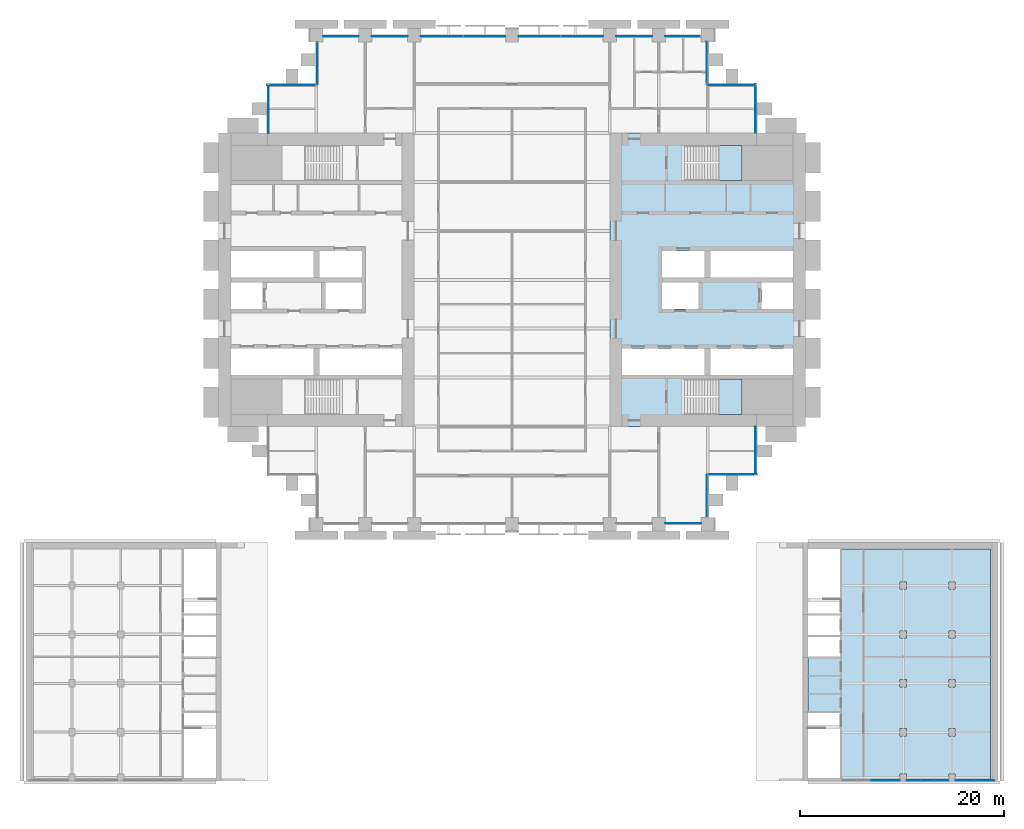
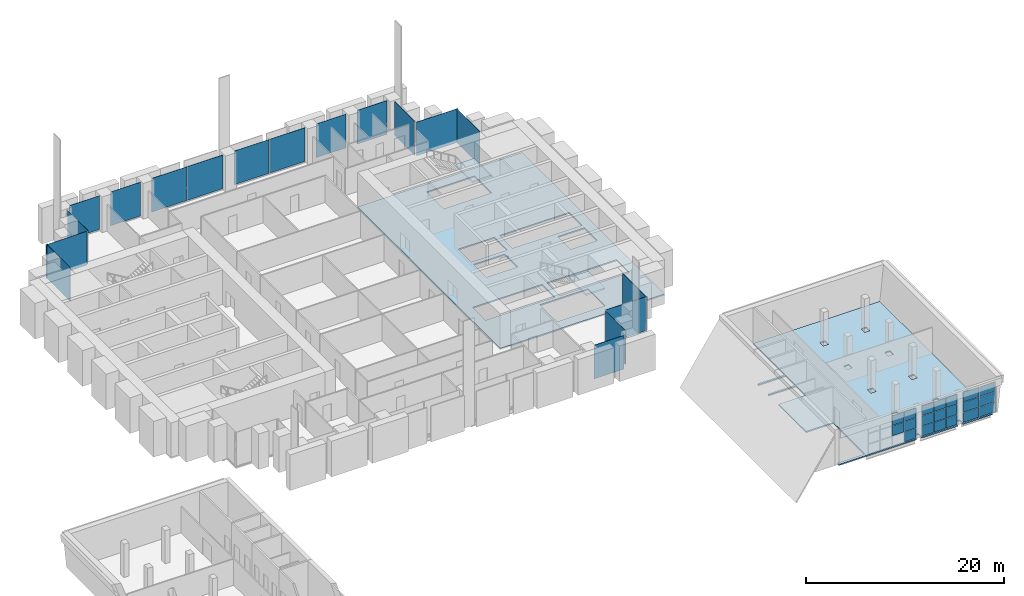
# One storey, part 15 of 22: 38 plates, 4 slabs, 16 elements without a shape of their own.
"""IFC4 building model written with IfcOpenShell, lengths in metres."""

from ifc_helpers import new_model, si_unit, direction, frame, origin, origin_2d, place, context, subcontext, project, spatial, polyline, rectangle, outline, extrude, material, layer, layer_set, type_object, element, aggregate, save


model = new_model("IFC4")

# Units and contexts
model_context = context("Model", 3, precision=1e-05, world=origin(), true_north=direction((0.0, 1.0)))
body_context = subcontext(model_context, "Body", "Model", "MODEL_VIEW")
ifc_project = project(units=[si_unit("LENGTHUNIT", "METRE"), si_unit("AREAUNIT", "SQUARE_METRE"), si_unit("VOLUMEUNIT", "CUBIC_METRE"), si_unit("PLANEANGLEUNIT", "RADIAN"), si_unit("MASSUNIT", "GRAM", prefix="KILO")], contexts=[model_context])

# Site, building, storey
site_placement = place(None, origin())
site = spatial("IfcSite", under=ifc_project, at=site_placement, CompositionType="ELEMENT")
building_placement = place(site_placement, origin())
building = spatial("IfcBuilding", under=site, at=building_placement, Name="Baori Bourse Tower", CompositionType="ELEMENT")
storey_placement = place(building_placement, frame((0.0, 0.0, 25.800048828125)))
storey = spatial("IfcBuildingStorey", under=building, at=storey_placement, Name="L04", CompositionType="ELEMENT", Elevation=25.800048828125)

# Curtain wall, plates
ifc_material_1 = material(Name="Pale anodised aluminium", Category="aluminium")
curtain_wall_type_1 = type_object("IfcCurtainWallType", Name="CW1 Curtain wall", PredefinedType="NOTDEFINED", material=ifc_material_1)
curtain_wall_1_placement = place(storey_placement, origin())
curtain_wall_1 = element("IfcCurtainWall", 1, at=curtain_wall_1_placement, inside=storey, type_object=curtain_wall_type_1, Name="Curtain wall CW1 L04 4", PredefinedType="NOTDEFINED")
ifc_material_2 = material(Name="Clear glass", Category="glass")
ifc_layer_1 = layer(ifc_material_2, 0.033935546875)
ifc_layer_set_1 = layer_set([ifc_layer_1], Name="CW1 Curtain wall panel")
plate_type_1 = type_object("IfcPlateType", Name="CW1 Curtain wall panel", PredefinedType="CURTAIN_PANEL", material=ifc_layer_set_1)
plate_1_placement = place(storey_placement, frame((45.570068359375, 47.89990234375, 0.080078125), z_axis=(0.0, 0.0, 1.0), x_axis=(-1.0, 0.0, 0.0)))
plate_1 = element("IfcPlate", 2, at=plate_1_placement, type_object=plate_type_1, Name="Curtain wall CW1 panel", PredefinedType="CURTAIN_PANEL", context=body_context, shape_type="SweptSolid", body=[
    extrude(rectangle(XDim=3.43994140625, YDim=0.033935546875, at=origin_2d()), origin(), (0.0, 0.0, 1.0), 4.159912109375),
])
plate_2_placement = place(storey_placement, frame((40.800048828125, 47.89990234375, 0.080078125), z_axis=(0.0, 0.0, 1.0), x_axis=(-1.0, 0.0, 0.0)))
plate_2 = element("IfcPlate", 3, at=plate_2_placement, type_object=plate_type_1, Name="Curtain wall CW1 panel", PredefinedType="CURTAIN_PANEL", context=body_context, shape_type="SweptSolid", body=[
    extrude(rectangle(XDim=3.5, YDim=0.033935546875, at=origin_2d()), origin(), (0.0, 0.0, 1.0), 4.159912109375),
])
plate_3_placement = place(storey_placement, frame((35.68994140625, 47.89990234375, 0.080078125), z_axis=(0.0, 0.0, 1.0), x_axis=(-1.0, 0.0, 0.0)))
plate_3 = element("IfcPlate", 4, at=plate_3_placement, type_object=plate_type_1, Name="Curtain wall CW1 panel", PredefinedType="CURTAIN_PANEL", context=body_context, shape_type="SweptSolid", body=[
    extrude(rectangle(XDim=4.1201171875, YDim=0.033935546875, at=origin_2d()), origin(), (0.0, 0.0, 1.0), 4.159912109375),
])
plate_4_placement = place(storey_placement, frame((31.510009765625, 47.89990234375, 0.080078125), z_axis=(0.0, 0.0, 1.0), x_axis=(-1.0, 0.0, 0.0)))
plate_4 = element("IfcPlate", 5, at=plate_4_placement, type_object=plate_type_1, Name="Curtain wall CW1 panel", PredefinedType="CURTAIN_PANEL", context=body_context, shape_type="SweptSolid", body=[
    extrude(rectangle(XDim=4.1201171875, YDim=0.033935546875, at=origin_2d()), origin(), (0.0, 0.0, 1.0), 4.159912109375),
])
plate_5_placement = place(storey_placement, frame((26.090087890625, 47.89990234375, 0.080078125), z_axis=(0.0, 0.0, 1.0), x_axis=(-1.0, 0.0, 0.0)))
plate_5 = element("IfcPlate", 6, at=plate_5_placement, type_object=plate_type_1, Name="Curtain wall CW1 panel", PredefinedType="CURTAIN_PANEL", context=body_context, shape_type="SweptSolid", body=[
    extrude(rectangle(XDim=4.1201171875, YDim=0.033935546875, at=origin_2d()), origin(), (0.0, 0.0, 1.0), 4.159912109375),
])
plate_6_placement = place(storey_placement, frame((21.909912109375, 47.89990234375, 0.080078125), z_axis=(0.0, 0.0, 1.0), x_axis=(-1.0, 0.0, 0.0)))
plate_6 = element("IfcPlate", 7, at=plate_6_placement, type_object=plate_type_1, Name="Curtain wall CW1 panel", PredefinedType="CURTAIN_PANEL", context=body_context, shape_type="SweptSolid", body=[
    extrude(rectangle(XDim=4.1201171875, YDim=0.033935546875, at=origin_2d()), origin(), (0.0, 0.0, 1.0), 4.159912109375),
])
plate_7_placement = place(storey_placement, frame((16.800048828125, 47.89990234375, 0.080078125), z_axis=(0.0, 0.0, 1.0), x_axis=(-1.0, 0.0, 0.0)))
plate_7 = element("IfcPlate", 8, at=plate_7_placement, type_object=plate_type_1, Name="Curtain wall CW1 panel", PredefinedType="CURTAIN_PANEL", context=body_context, shape_type="SweptSolid", body=[
    extrude(rectangle(XDim=3.5, YDim=0.033935546875, at=origin_2d()), origin(), (0.0, 0.0, 1.0), 4.159912109375),
])
plate_8_placement = place(storey_placement, frame((12.0, 47.89990234375, 0.080078125), z_axis=(0.0, 0.0, 1.0), x_axis=(-1.0, 0.0, 0.0)))
plate_8 = element("IfcPlate", 9, at=plate_8_placement, type_object=plate_type_1, Name="Curtain wall CW1 panel", PredefinedType="CURTAIN_PANEL", context=body_context, shape_type="SweptSolid", body=[
    extrude(rectangle(XDim=3.5, YDim=0.033935546875, at=origin_2d()), origin(), (0.0, 0.0, 1.0), 4.159912109375),
])
aggregate(curtain_wall_1, [plate_1, plate_2, plate_3, plate_4, plate_5, plate_6, plate_7, plate_8])

# Curtain wall, plate
curtain_wall_2_placement = place(storey_placement, origin())
curtain_wall_2 = element("IfcCurtainWall", 10, at=curtain_wall_2_placement, inside=storey, type_object=curtain_wall_type_1, Name="Curtain wall CW1 L04 11", PredefinedType="NOTDEFINED")
plate_9_placement = place(storey_placement, frame((45.60009765625, 0.10009765625, 0.080078125), z_axis=(0.0, 0.0, 1.0), x_axis=(1.0, 0.0, 0.0)))
plate_9 = element("IfcPlate", 11, at=plate_9_placement, type_object=plate_type_1, Name="Curtain wall CW1 panel", PredefinedType="CURTAIN_PANEL", context=body_context, shape_type="SweptSolid", body=[
    extrude(rectangle(XDim=3.5, YDim=0.033935546875, at=origin_2d()), origin(), (0.0, 0.0, 1.0), 4.159912109375),
])
aggregate(curtain_wall_2, [plate_9])

ifc_material_3 = material(Name="Pale anodised aluminium", Category="aluminium")
curtain_wall_type_2 = type_object("IfcCurtainWallType", Name="CW2 Curtain wall", PredefinedType="NOTDEFINED", material=ifc_material_3)
curtain_wall_3_placement = place(storey_placement, origin())
curtain_wall_3 = element("IfcCurtainWall", 12, at=curtain_wall_3_placement, inside=storey, type_object=curtain_wall_type_2, Name="Curtain wall CW2 L04 1", PredefinedType="NOTDEFINED")
ifc_material_4 = material(Name="Clear glass", Category="glass")
ifc_layer_2 = layer(ifc_material_4, 0.030029296875)
ifc_layer_set_2 = layer_set([ifc_layer_2], Name="CW2 Curtain wall panel")
plate_type_2 = type_object("IfcPlateType", Name="CW2 Curtain wall panel", PredefinedType="CURTAIN_PANEL", material=ifc_layer_set_2)
plate_10_placement = place(storey_placement, frame((52.7099609375, 40.827392578125, 0.070068359375), z_axis=(0.0, 0.0, 1.0), x_axis=(0.0, 1.0, 0.0)))
plate_10 = element("IfcPlate", 13, at=plate_10_placement, type_object=plate_type_2, Name="Curtain wall CW2 panel", PredefinedType="CURTAIN_PANEL", context=body_context, shape_type="SweptSolid", body=[
    extrude(rectangle(XDim=4.7451171875, YDim=0.030029296875, at=origin_2d()), origin(), (0.0, 0.0, 1.0), 4.169921875),
])
aggregate(curtain_wall_3, [plate_10])

curtain_wall_4_placement = place(storey_placement, origin())
curtain_wall_4 = element("IfcCurtainWall", 14, at=curtain_wall_4_placement, inside=storey, type_object=curtain_wall_type_2, Name="Curtain wall CW2 L04 2", PredefinedType="NOTDEFINED")
plate_11_placement = place(storey_placement, frame((50.37255859375, 43.110107421875, 0.070068359375), z_axis=(0.0, 0.0, 1.0), x_axis=(-1.0, 0.0, 0.0)))
plate_11 = element("IfcPlate", 15, at=plate_11_placement, type_object=plate_type_2, Name="Curtain wall CW2 panel", PredefinedType="CURTAIN_PANEL", context=body_context, shape_type="SweptSolid", body=[
    extrude(rectangle(XDim=4.7451171875, YDim=0.030029296875, at=origin_2d()), origin(), (0.0, 0.0, 1.0), 4.169921875),
])
aggregate(curtain_wall_4, [plate_11])

curtain_wall_5_placement = place(storey_placement, origin())
curtain_wall_5 = element("IfcCurtainWall", 16, at=curtain_wall_5_placement, inside=storey, type_object=curtain_wall_type_2, Name="Curtain wall CW2 L04 3", PredefinedType="NOTDEFINED")
plate_12_placement = place(storey_placement, frame((47.909912109375, 45.302490234375, 0.070068359375), z_axis=(0.0, 0.0, 1.0), x_axis=(0.0, 1.0, 0.0)))
plate_12 = element("IfcPlate", 17, at=plate_12_placement, type_object=plate_type_2, Name="Curtain wall CW2 panel", PredefinedType="CURTAIN_PANEL", context=body_context, shape_type="SweptSolid", body=[
    extrude(rectangle(XDim=4.094970703125, YDim=0.030029296875, at=origin_2d()), origin(), (0.0, 0.0, 1.0), 4.169921875),
])
aggregate(curtain_wall_5, [plate_12])

curtain_wall_6_placement = place(storey_placement, origin())
curtain_wall_6 = element("IfcCurtainWall", 18, at=curtain_wall_6_placement, inside=storey, type_object=curtain_wall_type_2, Name="Curtain wall CW2 L04 5", PredefinedType="NOTDEFINED")
plate_13_placement = place(storey_placement, frame((9.68994140625, 45.24755859375, 0.070068359375), z_axis=(0.0, 0.0, 1.0), x_axis=(0.0, -1.0, 0.0)))
plate_13 = element("IfcPlate", 19, at=plate_13_placement, type_object=plate_type_2, Name="Curtain wall CW2 panel", PredefinedType="CURTAIN_PANEL", context=body_context, shape_type="SweptSolid", body=[
    extrude(rectangle(XDim=4.094970703125, YDim=0.030029296875, at=origin_2d()), origin(), (0.0, 0.0, 1.0), 4.169921875),
])
aggregate(curtain_wall_6, [plate_13])

curtain_wall_7_placement = place(storey_placement, origin())
curtain_wall_7 = element("IfcCurtainWall", 20, at=curtain_wall_7_placement, inside=storey, type_object=curtain_wall_type_2, Name="Curtain wall CW2 L04 6", PredefinedType="NOTDEFINED")
plate_14_placement = place(storey_placement, frame((7.172607421875, 43.110107421875, 0.070068359375), z_axis=(0.0, 0.0, 1.0), x_axis=(-1.0, 0.0, 0.0)))
plate_14 = element("IfcPlate", 21, at=plate_14_placement, type_object=plate_type_2, Name="Curtain wall CW2 panel", PredefinedType="CURTAIN_PANEL", context=body_context, shape_type="SweptSolid", body=[
    extrude(rectangle(XDim=4.7451171875, YDim=0.030029296875, at=origin_2d()), origin(), (0.0, 0.0, 1.0), 4.169921875),
])
aggregate(curtain_wall_7, [plate_14])

curtain_wall_8_placement = place(storey_placement, origin())
curtain_wall_8 = element("IfcCurtainWall", 22, at=curtain_wall_8_placement, inside=storey, type_object=curtain_wall_type_2, Name="Curtain wall CW2 L04 7", PredefinedType="NOTDEFINED")
plate_15_placement = place(storey_placement, frame((4.889892578125, 40.7724609375, 0.070068359375), z_axis=(0.0, 0.0, 1.0), x_axis=(0.0, -1.0, 0.0)))
plate_15 = element("IfcPlate", 23, at=plate_15_placement, type_object=plate_type_2, Name="Curtain wall CW2 panel", PredefinedType="CURTAIN_PANEL", context=body_context, shape_type="SweptSolid", body=[
    extrude(rectangle(XDim=4.7451171875, YDim=0.030029296875, at=origin_2d()), origin(), (0.0, 0.0, 1.0), 4.169921875),
])
aggregate(curtain_wall_8, [plate_15])

curtain_wall_9_placement = place(storey_placement, origin())
curtain_wall_9 = element("IfcCurtainWall", 24, at=curtain_wall_9_placement, inside=storey, type_object=curtain_wall_type_2, Name="Curtain wall CW2 L04 12", PredefinedType="NOTDEFINED")
plate_16_placement = place(storey_placement, frame((47.909912109375, 2.75244140625, 0.070068359375), z_axis=(0.0, 0.0, 1.0), x_axis=(0.0, 1.0, 0.0)))
plate_16 = element("IfcPlate", 25, at=plate_16_placement, type_object=plate_type_2, Name="Curtain wall CW2 panel", PredefinedType="CURTAIN_PANEL", context=body_context, shape_type="SweptSolid", body=[
    extrude(rectangle(XDim=4.094970703125, YDim=0.030029296875, at=origin_2d()), origin(), (0.0, 0.0, 1.0), 4.169921875),
])
aggregate(curtain_wall_9, [plate_16])

curtain_wall_10_placement = place(storey_placement, origin())
curtain_wall_10 = element("IfcCurtainWall", 26, at=curtain_wall_10_placement, inside=storey, type_object=curtain_wall_type_2, Name="Curtain wall CW2 L04 13", PredefinedType="NOTDEFINED")
plate_17_placement = place(storey_placement, frame((50.427490234375, 4.889892578125, 0.070068359375), z_axis=(0.0, 0.0, 1.0), x_axis=(1.0, 0.0, 0.0)))
plate_17 = element("IfcPlate", 27, at=plate_17_placement, type_object=plate_type_2, Name="Curtain wall CW2 panel", PredefinedType="CURTAIN_PANEL", context=body_context, shape_type="SweptSolid", body=[
    extrude(rectangle(XDim=4.7451171875, YDim=0.030029296875, at=origin_2d()), origin(), (0.0, 0.0, 1.0), 4.169921875),
])
aggregate(curtain_wall_10, [plate_17])

curtain_wall_11_placement = place(storey_placement, origin())
curtain_wall_11 = element("IfcCurtainWall", 28, at=curtain_wall_11_placement, inside=storey, type_object=curtain_wall_type_2, Name="Curtain wall CW2 L04 14", PredefinedType="NOTDEFINED")
plate_18_placement = place(storey_placement, frame((52.7099609375, 7.2275390625, 0.070068359375), z_axis=(0.0, 0.0, 1.0), x_axis=(0.0, 1.0, 0.0)))
plate_18 = element("IfcPlate", 29, at=plate_18_placement, type_object=plate_type_2, Name="Curtain wall CW2 panel", PredefinedType="CURTAIN_PANEL", context=body_context, shape_type="SweptSolid", body=[
    extrude(rectangle(XDim=4.7451171875, YDim=0.030029296875, at=origin_2d()), origin(), (0.0, 0.0, 1.0), 4.169921875),
])
aggregate(curtain_wall_11, [plate_18])

# Slab
ifc_material_5 = material(Name="Concrete f'c 50 MPa", Category="concrete")
ifc_layer_3 = layer(ifc_material_5, 0.159912109375)
ifc_layer_set_3 = layer_set([ifc_layer_3], Name="Core slab 160")
slab_type_1 = type_object("IfcSlabType", Name="Core slab 160", PredefinedType="FLOOR", material=ifc_layer_set_3)
slab_1_placement = place(storey_placement, frame((0.0, 0.0, -0.16015625)))
element("IfcSlab", 30, at=slab_1_placement, inside=storey, type_object=slab_type_1, Name="Core floor slab E01", PredefinedType="FLOOR", context=body_context, shape_type="SweptSolid", body=[
    extrude(outline(polyline([(38.39990234375, 9.60009765625), (57.60009765625, 9.60009765625), (57.60009765625, 38.39990234375), (38.39990234375, 38.39990234375), (38.39990234375, 9.60009765625)]), holes=[polyline([(48.300048828125, 14.64990234375), (48.300048828125, 17.25), (56.39990234375, 17.25), (56.39990234375, 14.64990234375), (48.300048828125, 14.64990234375)]), polyline([(56.39990234375, 21.14990234375), (53.300048828125, 21.14990234375), (53.300048828125, 23.75), (56.39990234375, 23.75), (56.39990234375, 21.14990234375)]), polyline([(56.39990234375, 26.85009765625), (56.39990234375, 24.25), (48.300048828125, 24.25), (48.300048828125, 26.85009765625), (56.39990234375, 26.85009765625)]), polyline([(45.750732421875, 14.25), (51.35009765625, 14.25), (51.35009765625, 10.800048828125), (45.750732421875, 10.800048828125), (45.750732421875, 14.25)]), polyline([(51.35009765625, 37.199951171875), (51.35009765625, 33.75), (45.750732421875, 33.75), (45.750732421875, 37.199951171875), (51.35009765625, 37.199951171875)]), polyline([(39.60009765625, 17.25), (47.699951171875, 17.25), (47.699951171875, 14.64990234375), (39.60009765625, 14.64990234375), (39.60009765625, 17.25)]), polyline([(43.5, 24.25), (43.5, 26.85009765625), (47.699951171875, 26.85009765625), (47.699951171875, 24.25), (43.5, 24.25)]), polyline([(43.5, 23.75), (47.10009765625, 23.75), (47.10009765625, 21.14990234375), (43.5, 21.14990234375), (43.5, 23.75)])]), origin(), (0.0, 0.0, 1.0), 0.16015625),
])

# Stair, slab
ifc_material_6 = material(Name="Concrete f'c 50 MPa", Category="concrete")
stair_type = type_object("IfcStairType", Name="Core stair", PredefinedType="HALF_TURN_STAIR", material=ifc_material_6)
stair_1_placement = place(storey_placement, origin())
stair_1 = element("IfcStair", 31, at=stair_1_placement, inside=storey, type_object=stair_type, Name="L04 Stair EA", PredefinedType="HALF_TURN_STAIR")
ifc_material_7 = material(Name="Concrete f'c 50 MPa", Category="concrete")
slab_type_2 = type_object("IfcSlabType", Name="Core stair landing", PredefinedType="LANDING", material=ifc_material_7)
slab_2_placement = place(storey_placement, frame((0.0, 0.0, 2.0)))
slab_2 = element("IfcSlab", 32, at=slab_2_placement, type_object=slab_type_2, Name="ST3 landing 1", PredefinedType="LANDING", context=body_context, shape_type="SweptSolid", body=[
    extrude(outline(polyline([(49.110107421875, 10.800048828125), (51.35009765625, 10.800048828125), (51.35009765625, 14.25), (49.110107421875, 14.25), (49.110107421875, 10.800048828125)])), origin(), (0.0, 0.0, 1.0), 0.199951171875),
])
aggregate(stair_1, [slab_2])

stair_2_placement = place(storey_placement, origin())
stair_2 = element("IfcStair", 33, at=stair_2_placement, inside=storey, type_object=stair_type, Name="L04 Stair EB", PredefinedType="HALF_TURN_STAIR")
slab_3_placement = place(storey_placement, frame((0.0, 0.0, 2.0)))
slab_3 = element("IfcSlab", 34, at=slab_3_placement, type_object=slab_type_2, Name="ST4 landing 1", PredefinedType="LANDING", context=body_context, shape_type="SweptSolid", body=[
    extrude(outline(polyline([(49.110107421875, 33.75), (51.35009765625, 33.75), (51.35009765625, 37.199951171875), (49.110107421875, 37.199951171875), (49.110107421875, 33.75)])), origin(), (0.0, 0.0, 1.0), 0.199951171875),
])
aggregate(stair_2, [slab_3])

# Slab
ifc_material_8 = material(Name="Concrete f'c 40 MPa", Category="concrete")
ifc_layer_4 = layer(ifc_material_8, 0.159912109375)
ifc_layer_set_4 = layer_set([ifc_layer_4], Name="Wing floor slab 160")
slab_type_3 = type_object("IfcSlabType", Name="Wing floor slab 160", PredefinedType="FLOOR", material=ifc_layer_set_4)
slab_4_placement = place(storey_placement, frame((0.0, 0.0, -0.16015625)))
element("IfcSlab", 35, at=slab_4_placement, inside=storey, type_object=slab_type_3, Name="wing/L04/Efloor/001", PredefinedType="FLOOR", context=body_context, shape_type="SweptSolid", body=[
    extrude(outline(polyline([(61.0, -10.860107421875), (57.85009765625, -10.860107421875), (57.85009765625, -11.06005859375), (61.0, -11.06005859375), (61.0, -12.9599609375), (57.85009765625, -12.9599609375), (57.85009765625, -18.5400390625), (61.0, -18.5400390625), (61.0, -24.89990234375), (57.85009765625, -24.89990234375), (57.85009765625, -25.199951171875), (66.89990234375, -25.199951171875), (66.89990234375, -24.5), (67.5, -24.5), (67.5, -25.199951171875), (71.699951171875, -25.199951171875), (71.699951171875, -24.5), (72.300048828125, -24.5), (72.300048828125, -25.199951171875), (75.758056640625, -25.199951171875), (75.758056640625, -2.39990234375), (61.0, -2.39990234375), (61.0, -8.760009765625), (57.85009765625, -8.760009765625), (57.85009765625, -8.9599609375), (61.0, -8.9599609375), (61.0, -10.860107421875)]), holes=[polyline([(71.699951171875, -20.050048828125), (71.699951171875, -20.75), (72.300048828125, -20.75), (72.300048828125, -20.050048828125), (71.699951171875, -20.050048828125)]), polyline([(71.699951171875, -15.949951171875), (72.300048828125, -15.949951171875), (72.300048828125, -15.25), (71.699951171875, -15.25), (71.699951171875, -15.949951171875)]), polyline([(72.300048828125, -11.14990234375), (72.300048828125, -10.449951171875), (71.699951171875, -10.449951171875), (71.699951171875, -11.14990234375), (72.300048828125, -11.14990234375)]), polyline([(72.300048828125, -5.64990234375), (71.699951171875, -5.64990234375), (71.699951171875, -6.35009765625), (72.300048828125, -6.35009765625), (72.300048828125, -5.64990234375)]), polyline([(66.89990234375, -20.75), (67.5, -20.75), (67.5, -20.050048828125), (66.89990234375, -20.050048828125), (66.89990234375, -20.75)]), polyline([(67.5, -15.949951171875), (67.5, -15.25), (66.89990234375, -15.25), (66.89990234375, -15.949951171875), (67.5, -15.949951171875)]), polyline([(67.5, -10.449951171875), (66.89990234375, -10.449951171875), (66.89990234375, -11.14990234375), (67.5, -11.14990234375), (67.5, -10.449951171875)]), polyline([(66.89990234375, -5.64990234375), (66.89990234375, -6.35009765625), (67.5, -6.35009765625), (67.5, -5.64990234375), (66.89990234375, -5.64990234375)])]), origin(), (0.0, 0.0, 1.0), 0.16015625),
])

# Curtain wall, plates
ifc_material_9 = material(Name="Pale anodised aluminium", Category="aluminium")
ifc_layer_5 = layer(ifc_material_9, 0.10009765625)
ifc_layer_set_5 = layer_set([ifc_layer_5], Name="Wing curtain wall")
curtain_wall_type_3 = type_object("IfcCurtainWallType", Name="Wing curtain wall", PredefinedType="NOTDEFINED", material=ifc_layer_set_5)
curtain_wall_12_placement = place(storey_placement, origin())
curtain_wall_12 = element("IfcCurtainWall", 36, at=curtain_wall_12_placement, inside=storey, type_object=curtain_wall_type_3, Name="wing/L04/Ecw/001", PredefinedType="NOTDEFINED")
ifc_material_10 = material(Name="Clear glass", Category="glass")
ifc_layer_6 = layer(ifc_material_10, 0.028076171875)
ifc_layer_set_6 = layer_set([ifc_layer_6], Name="Wing glass panel 28")
plate_type_3 = type_object("IfcPlateType", Name="Wing glass panel 28", PredefinedType="CURTAIN_PANEL", material=ifc_layer_set_6)
plate_19_placement = place(storey_placement, frame((73.2822265625, -25.14990234375, 0.06005859375), z_axis=(0.0, 0.0, 1.0), x_axis=(1.0, 0.0, 0.0)))
plate_19 = element("IfcPlate", 37, at=plate_19_placement, type_object=plate_type_3, Name="X12 panel 1.1", PredefinedType="CURTAIN_PANEL", context=body_context, shape_type="SweptSolid", body=[
    extrude(rectangle(XDim=1.84423828125, YDim=0.028076171875, at=origin_2d()), origin(), (0.0, 0.0, 1.0), 1.193359375),
])
plate_20_placement = place(storey_placement, frame((73.2822265625, -25.14990234375, 1.3134765625), z_axis=(0.0, 0.0, 1.0), x_axis=(1.0, 0.0, 0.0)))
plate_20 = element("IfcPlate", 38, at=plate_20_placement, type_object=plate_type_3, Name="X12 panel 1.2", PredefinedType="CURTAIN_PANEL", context=body_context, shape_type="SweptSolid", body=[
    extrude(rectangle(XDim=1.84423828125, YDim=0.028076171875, at=origin_2d()), origin(), (0.0, 0.0, 1.0), 1.223388671875),
])
plate_21_placement = place(storey_placement, frame((73.2822265625, -25.14990234375, 2.5966796875), z_axis=(0.0, 0.0, 1.0), x_axis=(1.0, 0.0, 0.0)))
plate_21 = element("IfcPlate", 39, at=plate_21_placement, type_object=plate_type_3, Name="X12 panel 1.3", PredefinedType="CURTAIN_PANEL", context=body_context, shape_type="SweptSolid", body=[
    extrude(rectangle(XDim=1.84423828125, YDim=0.028076171875, at=origin_2d()), origin(), (0.0, 0.0, 1.0), 1.193359375),
])
plate_22_placement = place(storey_placement, frame((75.186279296875, -25.14990234375, 0.06005859375), z_axis=(0.0, 0.0, 1.0), x_axis=(1.0, 0.0, 0.0)))
plate_22 = element("IfcPlate", 40, at=plate_22_placement, type_object=plate_type_3, Name="X12 panel 2.1", PredefinedType="CURTAIN_PANEL", context=body_context, shape_type="SweptSolid", body=[
    extrude(rectangle(XDim=1.84423828125, YDim=0.028076171875, at=origin_2d()), origin(), (0.0, 0.0, 1.0), 1.193359375),
])
plate_23_placement = place(storey_placement, frame((75.186279296875, -25.14990234375, 1.3134765625), z_axis=(0.0, 0.0, 1.0), x_axis=(1.0, 0.0, 0.0)))
plate_23 = element("IfcPlate", 41, at=plate_23_placement, type_object=plate_type_3, Name="X12 panel 2.2", PredefinedType="CURTAIN_PANEL", context=body_context, shape_type="SweptSolid", body=[
    extrude(rectangle(XDim=1.84423828125, YDim=0.028076171875, at=origin_2d()), origin(), (0.0, 0.0, 1.0), 1.223388671875),
])
plate_24_placement = place(storey_placement, frame((75.186279296875, -25.14990234375, 2.5966796875), z_axis=(0.0, 0.0, 1.0), x_axis=(1.0, 0.0, 0.0)))
plate_24 = element("IfcPlate", 42, at=plate_24_placement, type_object=plate_type_3, Name="X12 panel 2.3", PredefinedType="CURTAIN_PANEL", context=body_context, shape_type="SweptSolid", body=[
    extrude(rectangle(XDim=1.84423828125, YDim=0.028076171875, at=origin_2d()), origin(), (0.0, 0.0, 1.0), 1.193359375),
])
aggregate(curtain_wall_12, [plate_19, plate_20, plate_21, plate_22, plate_23, plate_24])

curtain_wall_13_placement = place(storey_placement, origin())
curtain_wall_13 = element("IfcCurtainWall", 43, at=curtain_wall_13_placement, inside=storey, type_object=curtain_wall_type_3, Name="wing/L04/Ecw/002", PredefinedType="NOTDEFINED")
plate_25_placement = place(storey_placement, frame((68.215087890625, -25.14990234375, 0.06005859375), z_axis=(0.0, 0.0, 1.0), x_axis=(1.0, 0.0, 0.0)))
plate_25 = element("IfcPlate", 44, at=plate_25_placement, type_object=plate_type_3, Name="X12 panel 1.1", PredefinedType="CURTAIN_PANEL", context=body_context, shape_type="SweptSolid", body=[
    extrude(rectangle(XDim=1.31005859375, YDim=0.028076171875, at=origin_2d()), origin(), (0.0, 0.0, 1.0), 1.193359375),
])
plate_26_placement = place(storey_placement, frame((68.215087890625, -25.14990234375, 1.3134765625), z_axis=(0.0, 0.0, 1.0), x_axis=(1.0, 0.0, 0.0)))
plate_26 = element("IfcPlate", 45, at=plate_26_placement, type_object=plate_type_3, Name="X12 panel 1.2", PredefinedType="CURTAIN_PANEL", context=body_context, shape_type="SweptSolid", body=[
    extrude(rectangle(XDim=1.31005859375, YDim=0.028076171875, at=origin_2d()), origin(), (0.0, 0.0, 1.0), 1.223388671875),
])
plate_27_placement = place(storey_placement, frame((68.215087890625, -25.14990234375, 2.5966796875), z_axis=(0.0, 0.0, 1.0), x_axis=(1.0, 0.0, 0.0)))
plate_27 = element("IfcPlate", 46, at=plate_27_placement, type_object=plate_type_3, Name="X12 panel 1.3", PredefinedType="CURTAIN_PANEL", context=body_context, shape_type="SweptSolid", body=[
    extrude(rectangle(XDim=1.31005859375, YDim=0.028076171875, at=origin_2d()), origin(), (0.0, 0.0, 1.0), 1.193359375),
])
plate_28_placement = place(storey_placement, frame((69.60009765625, -25.14990234375, 0.06005859375), z_axis=(0.0, 0.0, 1.0), x_axis=(1.0, 0.0, 0.0)))
plate_28 = element("IfcPlate", 47, at=plate_28_placement, type_object=plate_type_3, Name="X12 panel 2.1", PredefinedType="CURTAIN_PANEL", context=body_context, shape_type="SweptSolid", body=[
    extrude(rectangle(XDim=1.340087890625, YDim=0.028076171875, at=origin_2d()), origin(), (0.0, 0.0, 1.0), 1.193359375),
])
plate_29_placement = place(storey_placement, frame((69.60009765625, -25.14990234375, 1.3134765625), z_axis=(0.0, 0.0, 1.0), x_axis=(1.0, 0.0, 0.0)))
plate_29 = element("IfcPlate", 48, at=plate_29_placement, type_object=plate_type_3, Name="X12 panel 2.2", PredefinedType="CURTAIN_PANEL", context=body_context, shape_type="SweptSolid", body=[
    extrude(rectangle(XDim=1.340087890625, YDim=0.028076171875, at=origin_2d()), origin(), (0.0, 0.0, 1.0), 1.223388671875),
])
plate_30_placement = place(storey_placement, frame((69.60009765625, -25.14990234375, 2.5966796875), z_axis=(0.0, 0.0, 1.0), x_axis=(1.0, 0.0, 0.0)))
plate_30 = element("IfcPlate", 49, at=plate_30_placement, type_object=plate_type_3, Name="X12 panel 2.3", PredefinedType="CURTAIN_PANEL", context=body_context, shape_type="SweptSolid", body=[
    extrude(rectangle(XDim=1.340087890625, YDim=0.028076171875, at=origin_2d()), origin(), (0.0, 0.0, 1.0), 1.193359375),
])
plate_31_placement = place(storey_placement, frame((70.985107421875, -25.14990234375, 0.06005859375), z_axis=(0.0, 0.0, 1.0), x_axis=(1.0, 0.0, 0.0)))
plate_31 = element("IfcPlate", 50, at=plate_31_placement, type_object=plate_type_3, Name="X12 panel 3.1", PredefinedType="CURTAIN_PANEL", context=body_context, shape_type="SweptSolid", body=[
    extrude(rectangle(XDim=1.31005859375, YDim=0.028076171875, at=origin_2d()), origin(), (0.0, 0.0, 1.0), 1.193359375),
])
plate_32_placement = place(storey_placement, frame((70.985107421875, -25.14990234375, 1.3134765625), z_axis=(0.0, 0.0, 1.0), x_axis=(1.0, 0.0, 0.0)))
plate_32 = element("IfcPlate", 51, at=plate_32_placement, type_object=plate_type_3, Name="X12 panel 3.2", PredefinedType="CURTAIN_PANEL", context=body_context, shape_type="SweptSolid", body=[
    extrude(rectangle(XDim=1.31005859375, YDim=0.028076171875, at=origin_2d()), origin(), (0.0, 0.0, 1.0), 1.223388671875),
])
plate_33_placement = place(storey_placement, frame((70.985107421875, -25.14990234375, 2.5966796875), z_axis=(0.0, 0.0, 1.0), x_axis=(1.0, 0.0, 0.0)))
plate_33 = element("IfcPlate", 52, at=plate_33_placement, type_object=plate_type_3, Name="X12 panel 3.3", PredefinedType="CURTAIN_PANEL", context=body_context, shape_type="SweptSolid", body=[
    extrude(rectangle(XDim=1.31005859375, YDim=0.028076171875, at=origin_2d()), origin(), (0.0, 0.0, 1.0), 1.193359375),
])
aggregate(curtain_wall_13, [plate_25, plate_26, plate_27, plate_28, plate_29, plate_30, plate_31, plate_32, plate_33])

curtain_wall_14_placement = place(storey_placement, origin())
curtain_wall_14 = element("IfcCurtainWall", 53, at=curtain_wall_14_placement, inside=storey, type_object=curtain_wall_type_3, Name="wing/L04/Ecw/003", PredefinedType="NOTDEFINED")
plate_34_placement = place(storey_placement, frame((64.762451171875, -25.14990234375, 1.3134765625), z_axis=(0.0, 0.0, 1.0), x_axis=(1.0, 0.0, 0.0)))
plate_34 = element("IfcPlate", 54, at=plate_34_placement, type_object=plate_type_3, Name="X12 panel 3.2", PredefinedType="CURTAIN_PANEL", context=body_context, shape_type="SweptSolid", body=[
    extrude(rectangle(XDim=1.364990234375, YDim=0.028076171875, at=origin_2d()), origin(), (0.0, 0.0, 1.0), 1.223388671875),
])
plate_35_placement = place(storey_placement, frame((64.762451171875, -25.14990234375, 2.5966796875), z_axis=(0.0, 0.0, 1.0), x_axis=(1.0, 0.0, 0.0)))
plate_35 = element("IfcPlate", 55, at=plate_35_placement, type_object=plate_type_3, Name="X12 panel 3.3", PredefinedType="CURTAIN_PANEL", context=body_context, shape_type="SweptSolid", body=[
    extrude(rectangle(XDim=1.364990234375, YDim=0.028076171875, at=origin_2d()), origin(), (0.0, 0.0, 1.0), 1.193359375),
])
plate_36_placement = place(storey_placement, frame((66.172607421875, -25.14990234375, 0.06005859375), z_axis=(0.0, 0.0, 1.0), x_axis=(1.0, 0.0, 0.0)))
plate_36 = element("IfcPlate", 56, at=plate_36_placement, type_object=plate_type_3, Name="X12 panel 4.1", PredefinedType="CURTAIN_PANEL", context=body_context, shape_type="SweptSolid", body=[
    extrude(rectangle(XDim=1.3349609375, YDim=0.028076171875, at=origin_2d()), origin(), (0.0, 0.0, 1.0), 1.193359375),
])
plate_37_placement = place(storey_placement, frame((66.172607421875, -25.14990234375, 1.3134765625), z_axis=(0.0, 0.0, 1.0), x_axis=(1.0, 0.0, 0.0)))
plate_37 = element("IfcPlate", 57, at=plate_37_placement, type_object=plate_type_3, Name="X12 panel 4.2", PredefinedType="CURTAIN_PANEL", context=body_context, shape_type="SweptSolid", body=[
    extrude(rectangle(XDim=1.3349609375, YDim=0.028076171875, at=origin_2d()), origin(), (0.0, 0.0, 1.0), 1.223388671875),
])
plate_38_placement = place(storey_placement, frame((66.172607421875, -25.14990234375, 2.5966796875), z_axis=(0.0, 0.0, 1.0), x_axis=(1.0, 0.0, 0.0)))
plate_38 = element("IfcPlate", 58, at=plate_38_placement, type_object=plate_type_3, Name="X12 panel 4.3", PredefinedType="CURTAIN_PANEL", context=body_context, shape_type="SweptSolid", body=[
    extrude(rectangle(XDim=1.3349609375, YDim=0.028076171875, at=origin_2d()), origin(), (0.0, 0.0, 1.0), 1.193359375),
])
aggregate(curtain_wall_14, [plate_34, plate_35, plate_36, plate_37, plate_38])

save(model, "model.ifc")
